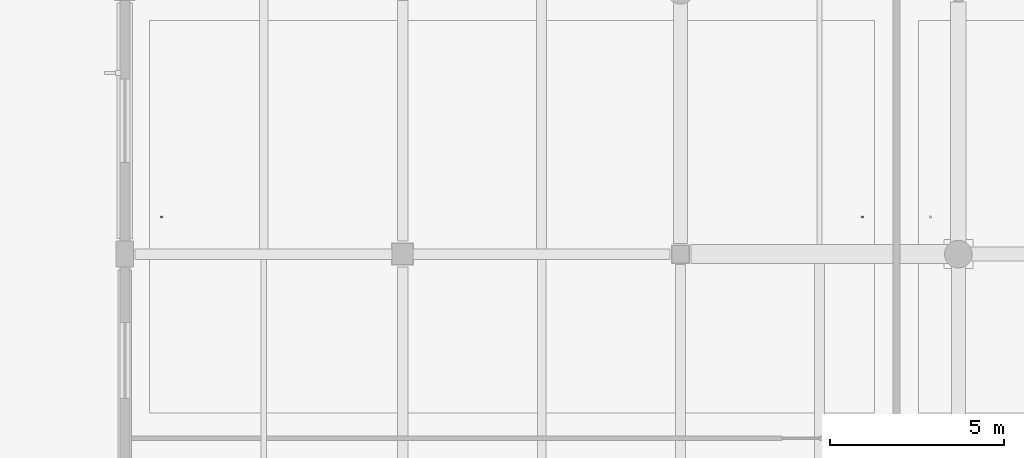
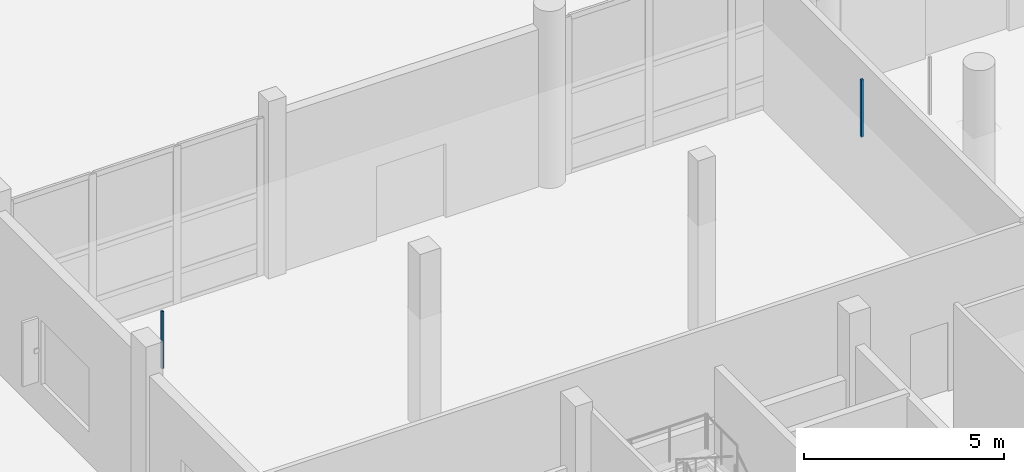
# One storey, part 81 of 126: 2 discrete accessories.
"""IFC4 building model written with IfcOpenShell, lengths in metres."""

from ifc_helpers import new_model, si_unit, direction, frame, origin, origin_2d, place, context, subcontext, project, spatial, rectangle, extrude, material, type_object, element, save


model = new_model("IFC4")

# Units and contexts
model_context = context("Model", 3, precision=1e-05, world=origin(), true_north=direction((0.0, 1.0)))
body_context = subcontext(model_context, "Body", "Model", "MODEL_VIEW")
ifc_project = project(units=[si_unit("LENGTHUNIT", "METRE"), si_unit("AREAUNIT", "SQUARE_METRE"), si_unit("VOLUMEUNIT", "CUBIC_METRE"), si_unit("PLANEANGLEUNIT", "RADIAN"), si_unit("MASSUNIT", "GRAM", prefix="KILO")], contexts=[model_context])

# Site, building, storey
site_placement = place(None, origin())
site = spatial("IfcSite", under=ifc_project, at=site_placement, CompositionType="ELEMENT")
building_placement = place(site_placement, origin())
building = spatial("IfcBuilding", under=site, at=building_placement, Name="Khelvaren Railside Concert Hall", CompositionType="ELEMENT")
storey_placement = place(building_placement, origin())
storey = spatial("IfcBuildingStorey", under=building, at=storey_placement, Name="L00", CompositionType="ELEMENT", Elevation=0.0)

# Discrete accessories
ifc_material = material(Name="Galvanised steel acoustic ceiling hanger rod", Category="steel")
discrete_accessory_type = type_object("IfcDiscreteAccessoryType", Name="BRK62", PredefinedType="BRACKET", material=ifc_material)
for number, where, z_axis, x_axis, name in (
    (1, (65.06005859375, 16.27490234375, 3.429931640625), (0.0, 0.0, 1.0), (1.0, 0.0, 0.0), "Acoustic Ceiling Suspension Bracket 68-1"),
    (2, (85.236083984375, 16.27490234375, 3.429931640625), (0.0, 0.0, 1.0), (1.0, 0.0, 0.0), "Acoustic Ceiling Suspension Bracket 68-2"),
):
    element("IfcDiscreteAccessory", number, at=place(storey_placement, frame(where, z_axis=z_axis, x_axis=x_axis)), inside=storey, type_object=discrete_accessory_type, Name=name, PredefinedType="BRACKET", context=body_context, shape_type="SweptSolid", body=[
        extrude(rectangle(XDim=0.06005859375, YDim=0.06005859375, at=origin_2d()), origin(), (0.0, 0.0, 1.0), 1.75),
    ])

save(model, "model.ifc")
